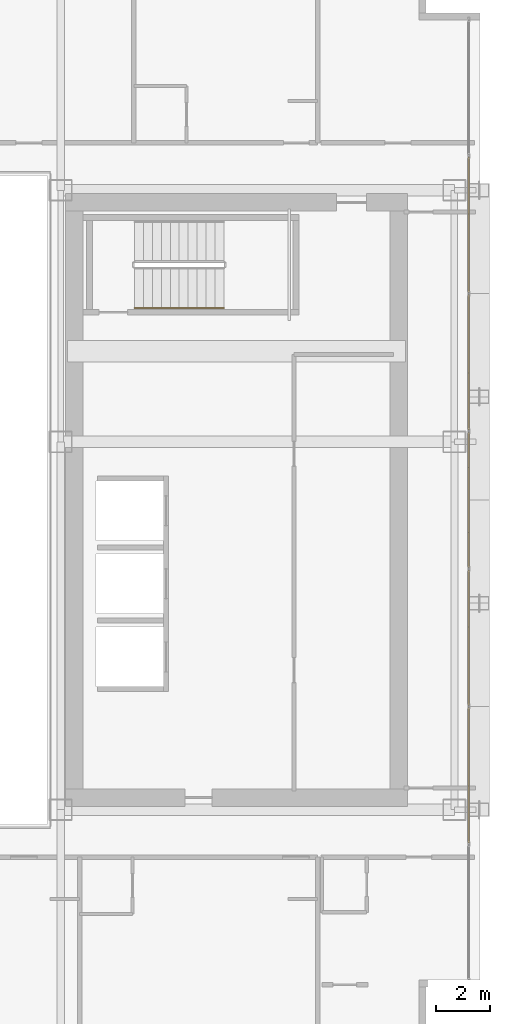
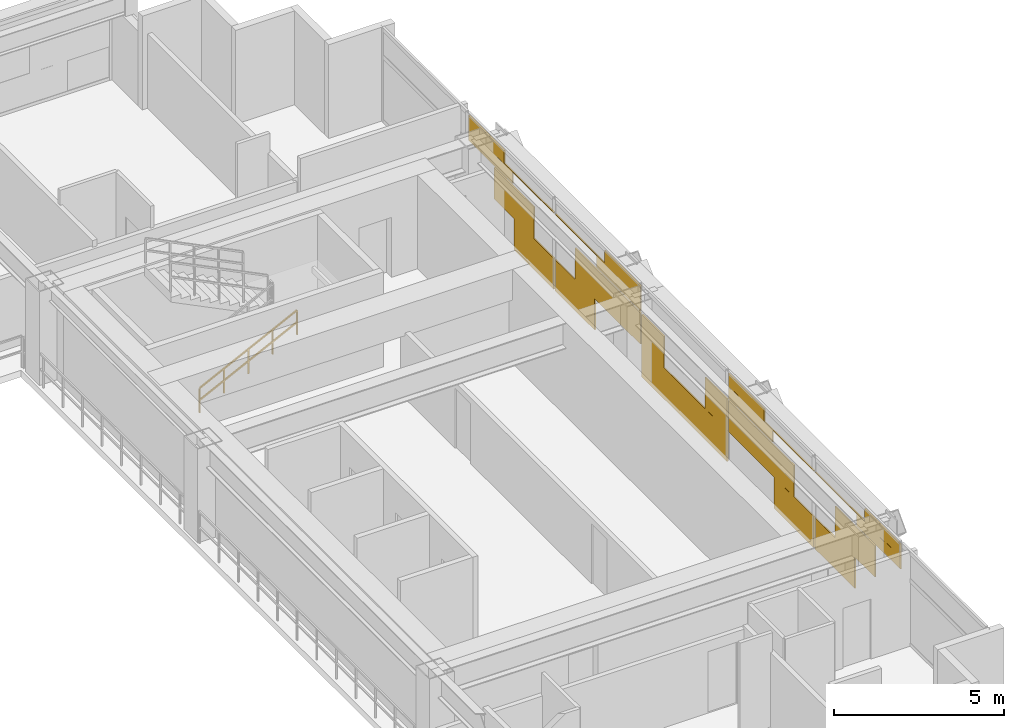
# One storey, part 33 of 34: 1 covering, 1 railing.
"""IFC4 building model written with IfcOpenShell, lengths in metres."""

from ifc_helpers import new_model, si_unit, direction, frame, origin, origin_2d, place, context, subcontext, project, spatial, rectangle, extrude, material, layer, layer_set, type_object, element, save


model = new_model("IFC4")

# Units and contexts
model_context = context("Model", 3, precision=1e-05, world=origin(), true_north=direction((0.0, 1.0)))
body_context = subcontext(model_context, "Body", "Model", "MODEL_VIEW")
ifc_project = project(units=[si_unit("LENGTHUNIT", "METRE"), si_unit("AREAUNIT", "SQUARE_METRE"), si_unit("VOLUMEUNIT", "CUBIC_METRE"), si_unit("PLANEANGLEUNIT", "RADIAN"), si_unit("MASSUNIT", "GRAM", prefix="KILO")], contexts=[model_context])

# Site, building, storey
site_placement = place(None, origin())
site = spatial("IfcSite", under=ifc_project, at=site_placement, CompositionType="ELEMENT")
building_placement = place(site_placement, origin())
building = spatial("IfcBuilding", under=site, at=building_placement, Name="Ocotamira Hotel", CompositionType="ELEMENT")
storey_placement = place(building_placement, frame((0.0, 0.0, 108.0)))
storey = spatial("IfcBuildingStorey", under=building, at=storey_placement, Name="L26", CompositionType="ELEMENT", Elevation=108.0)

# Covering
ifc_material_1 = material(Name="Insulated pale-metal aluminium spandrel panel", Category="aluminium")
ifc_layer = layer(ifc_material_1, 0.044921875)
ifc_layer_set = layer_set([ifc_layer], Name="Insulated pale-metal aluminium spandrel panel")
covering_type = type_object("IfcCoveringType", Name="COV-INFILL-45", PredefinedType="CLADDING", material=ifc_layer_set)
covering_placement = place(storey_placement, origin())
element("IfcCovering", 1, at=covering_placement, inside=storey, type_object=covering_type, Name="L26 Curtain Wall Infill CW-3 CW-L26-E", PredefinedType="CLADDING", context=body_context, shape_type="SweptSolid", body=[
    extrude(rectangle(XDim=2.35107421875, YDim=0.044921875, at=origin_2d()), frame((55.580078125, 15.988525390625, 1.1943359375), z_axis=(0.0, 0.0, 1.0), x_axis=(0.0, 1.0, 0.0)), (0.0, 0.0, 1.0), 1.117919921875),
    extrude(rectangle(XDim=2.331787109375, YDim=0.044921875, at=origin_2d()), frame((55.580078125, 17.1650390625, 0.07568359375), z_axis=(0.0, 0.0, 1.0), x_axis=(0.0, 1.0, 0.0)), (0.0, 0.0, 1.0), 1.11767578125),
    extrude(rectangle(XDim=2.572265625, YDim=0.044921875, at=origin_2d()), frame((55.580078125, 14.6123046875, 2.38818359375), z_axis=(0.0, 0.0, 1.0), x_axis=(0.0, 1.0, 0.0)), (0.0, 0.0, 1.0), 0.413330078125),
    extrude(rectangle(XDim=5.004638671875, YDim=0.044921875, at=origin_2d()), frame((55.580078125, 15.82861328125, 2.802490234375), z_axis=(0.0, 0.0, 1.0), x_axis=(0.0, 1.0, 0.0)), (0.0, 0.0, 1.0), 0.033203125),
    extrude(rectangle(XDim=2.096435546875, YDim=0.044921875, at=origin_2d()), frame((55.580078125, 14.37451171875, 2.836669921875), z_axis=(0.0, 0.0, 1.0), x_axis=(0.0, 1.0, 0.0)), (0.0, 0.0, 1.0), 0.44775390625),
    extrude(rectangle(XDim=2.322265625, YDim=0.044921875, at=origin_2d()), frame((55.580078125, 19.572998046875, 0.07568359375), z_axis=(0.0, 0.0, 1.0), x_axis=(0.0, 1.0, 0.0)), (0.0, 0.0, 1.0), 1.11767578125),
    extrude(rectangle(XDim=3.847412109375, YDim=0.044921875, at=origin_2d()), frame((55.580078125, 21.492919921875, 1.1943359375), z_axis=(0.0, 0.0, 1.0), x_axis=(0.0, 1.0, 0.0)), (0.0, 0.0, 1.0), 1.117919921875),
    extrude(rectangle(XDim=5.004638671875, YDim=0.044921875, at=origin_2d()), frame((55.580078125, 20.914306640625, 2.802490234375), z_axis=(0.0, 0.0, 1.0), x_axis=(0.0, 1.0, 0.0)), (0.0, 0.0, 1.0), 0.033203125),
    extrude(rectangle(XDim=2.581787109375, YDim=0.044921875, at=origin_2d()), frame((55.580078125, 22.125732421875, 2.38818359375), z_axis=(0.0, 0.0, 1.0), x_axis=(0.0, 1.0, 0.0)), (0.0, 0.0, 1.0), 0.413330078125),
    extrude(rectangle(XDim=2.106201171875, YDim=0.044921875, at=origin_2d()), frame((55.580078125, 22.363525390625, 2.836669921875), z_axis=(0.0, 0.0, 1.0), x_axis=(0.0, 1.0, 0.0)), (0.0, 0.0, 1.0), 0.44775390625),
    extrude(rectangle(XDim=5.004638671875, YDim=0.044921875, at=origin_2d()), frame((55.580078125, 26.0, 0.07568359375), z_axis=(0.0, 0.0, 1.0), x_axis=(0.0, 1.0, 0.0)), (0.0, 0.0, 1.0), 1.11767578125),
    extrude(rectangle(XDim=1.2998046875, YDim=0.044921875, at=origin_2d()), frame((55.580078125, 24.1474609375, 1.1943359375), z_axis=(0.0, 0.0, 1.0), x_axis=(0.0, 1.0, 0.0)), (0.0, 0.0, 1.0), 1.117919921875),
    extrude(rectangle(XDim=1.2998046875, YDim=0.044921875, at=origin_2d()), frame((55.580078125, 27.8525390625, 1.1943359375), z_axis=(0.0, 0.0, 1.0), x_axis=(0.0, 1.0, 0.0)), (0.0, 0.0, 1.0), 1.117919921875),
    extrude(rectangle(XDim=3.847412109375, YDim=0.044921875, at=origin_2d()), frame((55.580078125, 30.507080078125, 1.1943359375), z_axis=(0.0, 0.0, 1.0), x_axis=(0.0, 1.0, 0.0)), (0.0, 0.0, 1.0), 1.117919921875),
    extrude(rectangle(XDim=2.322265625, YDim=0.044921875, at=origin_2d()), frame((55.580078125, 32.427001953125, 0.07568359375), z_axis=(0.0, 0.0, 1.0), x_axis=(0.0, 1.0, 0.0)), (0.0, 0.0, 1.0), 1.11767578125),
    extrude(rectangle(XDim=2.581787109375, YDim=0.044921875, at=origin_2d()), frame((55.580078125, 29.874267578125, 2.38818359375), z_axis=(0.0, 0.0, 1.0), x_axis=(0.0, 1.0, 0.0)), (0.0, 0.0, 1.0), 0.413330078125),
    extrude(rectangle(XDim=5.004638671875, YDim=0.044921875, at=origin_2d()), frame((55.580078125, 31.085693359375, 2.802490234375), z_axis=(0.0, 0.0, 1.0), x_axis=(0.0, 1.0, 0.0)), (0.0, 0.0, 1.0), 0.033203125),
    extrude(rectangle(XDim=2.106201171875, YDim=0.044921875, at=origin_2d()), frame((55.580078125, 29.636474609375, 2.836669921875), z_axis=(0.0, 0.0, 1.0), x_axis=(0.0, 1.0, 0.0)), (0.0, 0.0, 1.0), 0.44775390625),
    extrude(rectangle(XDim=2.331787109375, YDim=0.044921875, at=origin_2d()), frame((55.580078125, 34.8349609375, 0.07568359375), z_axis=(0.0, 0.0, 1.0), x_axis=(0.0, 1.0, 0.0)), (0.0, 0.0, 1.0), 1.11767578125),
    extrude(rectangle(XDim=2.35107421875, YDim=0.044921875, at=origin_2d()), frame((55.580078125, 36.011474609375, 1.1943359375), z_axis=(0.0, 0.0, 1.0), x_axis=(0.0, 1.0, 0.0)), (0.0, 0.0, 1.0), 1.117919921875),
    extrude(rectangle(XDim=5.004638671875, YDim=0.044921875, at=origin_2d()), frame((55.580078125, 36.17138671875, 2.802490234375), z_axis=(0.0, 0.0, 1.0), x_axis=(0.0, 1.0, 0.0)), (0.0, 0.0, 1.0), 0.033203125),
    extrude(rectangle(XDim=2.572265625, YDim=0.044921875, at=origin_2d()), frame((55.580078125, 37.3876953125, 2.38818359375), z_axis=(0.0, 0.0, 1.0), x_axis=(0.0, 1.0, 0.0)), (0.0, 0.0, 1.0), 0.413330078125),
    extrude(rectangle(XDim=2.096435546875, YDim=0.044921875, at=origin_2d()), frame((55.580078125, 37.62548828125, 2.836669921875), z_axis=(0.0, 0.0, 1.0), x_axis=(0.0, 1.0, 0.0)), (0.0, 0.0, 1.0), 0.44775390625),
])

# Railing
ifc_material_2 = material(Name="Brushed stainless steel handrail", Category="steel")
railing_type = type_object("IfcRailingType", Name="RL-HAND-900", PredefinedType="HANDRAIL", material=ifc_material_2)
railing_placement = place(storey_placement, frame((43.22998046875, 33.10009765625, 0.327392578125)))
element("IfcRailing", 2, at=railing_placement, inside=storey, type_object=railing_type, Name="L26 ST-4 stair handrail 1", PredefinedType="HANDRAIL", context=body_context, shape_type="SweptSolid", body=[
    extrude(rectangle(XDim=0.048095703125, YDim=0.048095703125, at=origin_2d()), frame((0.0, 0.0, 0.8759765625), z_axis=(0.895920123917, 0.0, 0.444215186098), x_axis=(0.0, 1.0, 0.0)), (0.0, 0.0, 1.0), 3.683349609375),
    extrude(rectangle(XDim=0.048095703125, YDim=0.048095703125, at=origin_2d()), frame((0.0, 0.0, 0.449951171875), z_axis=(0.895920123917, 0.0, 0.444215186098), x_axis=(0.0, 1.0, 0.0)), (0.0, 0.0, 1.0), 3.683349609375),
    extrude(rectangle(XDim=0.0419921875, YDim=0.0419921875, at=origin_2d()), origin(), (0.0, 0.0, 1.0), 0.851806640625),
    extrude(rectangle(XDim=0.0419921875, YDim=0.0419921875, at=origin_2d()), frame((0.824951171875, 0.0, 0.4091796875)), (0.0, 0.0, 1.0), 0.851806640625),
    extrude(rectangle(XDim=0.0419921875, YDim=0.0419921875, at=origin_2d()), frame((1.64990234375, 0.0, 0.818115234375)), (0.0, 0.0, 1.0), 0.851806640625),
    extrude(rectangle(XDim=0.0419921875, YDim=0.0419921875, at=origin_2d()), frame((2.47509765625, 0.0, 1.22705078125)), (0.0, 0.0, 1.0), 0.851806640625),
    extrude(rectangle(XDim=0.0419921875, YDim=0.0419921875, at=origin_2d()), frame((3.300048828125, 0.0, 1.63623046875)), (0.0, 0.0, 1.0), 0.851806640625),
])

save(model, "model.ifc")
